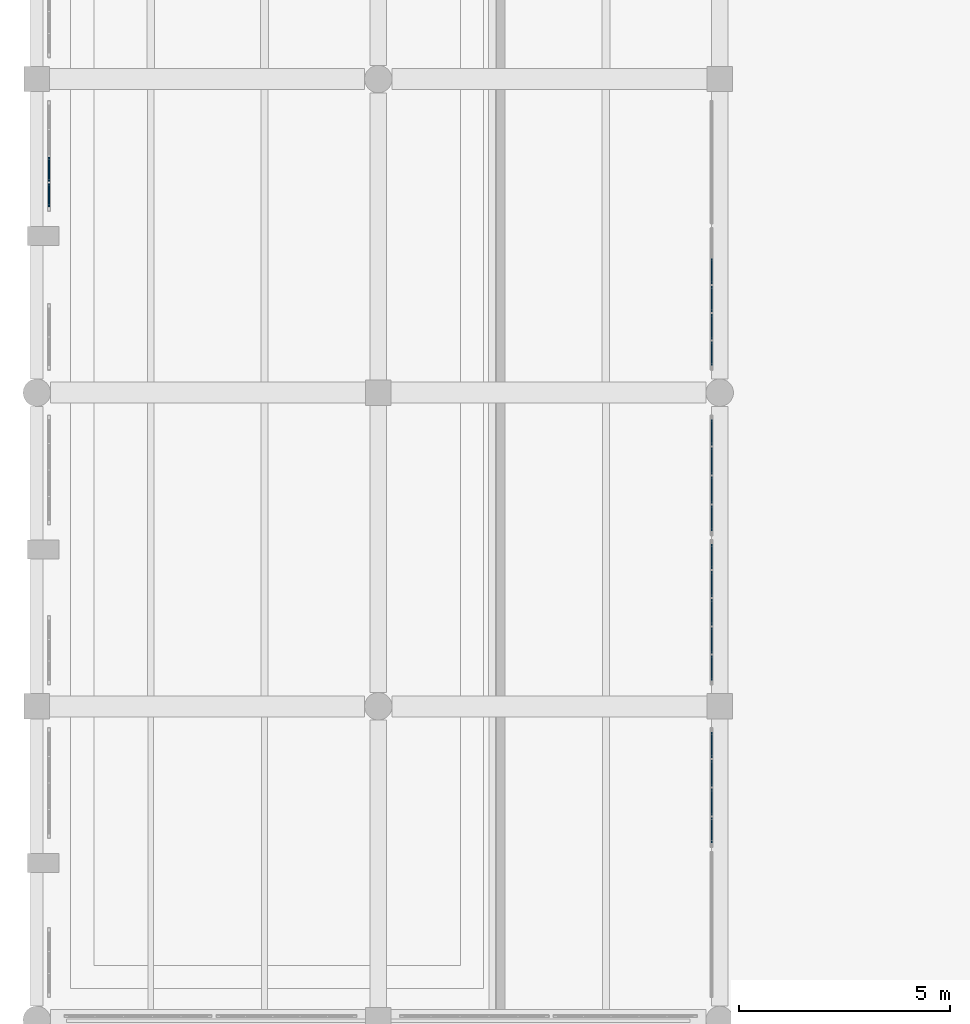
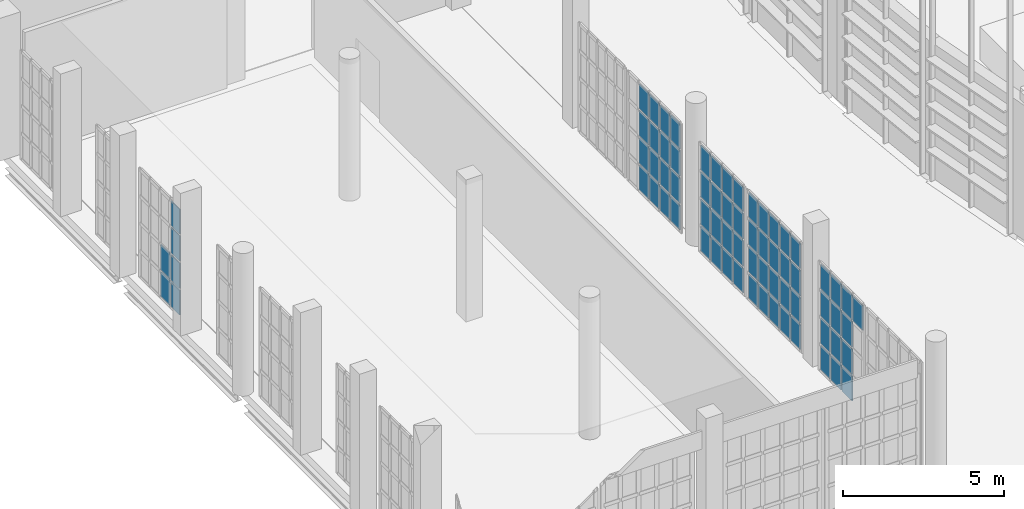
# One storey, part 323 of 372: 71 plates, 5 elements without a shape of their own.
"""IFC4 building model written with IfcOpenShell, lengths in metres."""

from ifc_helpers import new_model, si_unit, direction, frame, origin, origin_2d, place, context, subcontext, project, spatial, rectangle, extrude, material, layer, layer_set, type_object, element, aggregate, save


model = new_model("IFC4")

# Units and contexts
model_context = context("Model", 3, precision=1e-05, world=origin(), true_north=direction((0.0, 1.0)))
body_context = subcontext(model_context, "Body", "Model", "MODEL_VIEW")
ifc_project = project(units=[si_unit("LENGTHUNIT", "METRE"), si_unit("AREAUNIT", "SQUARE_METRE"), si_unit("VOLUMEUNIT", "CUBIC_METRE"), si_unit("PLANEANGLEUNIT", "RADIAN"), si_unit("MASSUNIT", "GRAM", prefix="KILO")], contexts=[model_context])

# Site, building, storey
site_placement = place(None, origin())
site = spatial("IfcSite", under=ifc_project, at=site_placement, CompositionType="ELEMENT")
building_placement = place(site_placement, origin())
building = spatial("IfcBuilding", under=site, at=building_placement, Name="Kaelora Sail Theatre", CompositionType="ELEMENT")
storey_placement = place(building_placement, origin())
storey = spatial("IfcBuildingStorey", under=building, at=storey_placement, Name="L00", CompositionType="ELEMENT", Elevation=0.0)

# Curtain wall, plates
ifc_material_1 = material(Name="Anodised aluminium and solar-control low-E IGU", Category="aluminium")
curtain_wall_type_1 = type_object("IfcCurtainWallType", Name="ARC-CW-CW-FOY1", PredefinedType="NOTDEFINED", material=ifc_material_1)
curtain_wall_1_placement = place(storey_placement, origin())
curtain_wall_1 = element("IfcCurtainWall", 1, at=curtain_wall_1_placement, inside=storey, type_object=curtain_wall_type_1, Name="Glazed Colonnade/Courtyard Curtain Wall COLW-W-L00-09", PredefinedType="NOTDEFINED")
ifc_material_2 = material(Name="Solar-control laminated low-E glass", Category="glass")
ifc_layer = layer(ifc_material_2, 0.031982421875)
ifc_layer_set = layer_set([ifc_layer], Name="Solar-control laminated low-E glass")
plate_type = type_object("IfcPlateType", Name="ARC-CW-PNL", PredefinedType="CURTAIN_PANEL", material=ifc_layer_set)
plate_1_placement = place(storey_placement, frame((1.7900390625, 50.82568359375, 0.070068359375), z_axis=(0.0, 0.0, 1.0), x_axis=(0.0, 1.0, 0.0)))
plate_1 = element("IfcPlate", 2, at=plate_1_placement, type_object=plate_type, Name="CW-FOY1 panel 1.1", PredefinedType="CURTAIN_PANEL", context=body_context, shape_type="SweptSolid", body=[
    extrude(rectangle(XDim=0.541259765625, YDim=0.031982421875, at=origin_2d()), origin(), (0.0, 0.0, 1.0), 0.92919921875),
])
plate_2_placement = place(storey_placement, frame((1.7900390625, 50.82568359375, 1.069091796875), z_axis=(0.0, 0.0, 1.0), x_axis=(0.0, 1.0, 0.0)))
plate_2 = element("IfcPlate", 3, at=plate_2_placement, type_object=plate_type, Name="CW-FOY1 panel 1.2", PredefinedType="CURTAIN_PANEL", context=body_context, shape_type="SweptSolid", body=[
    extrude(rectangle(XDim=0.541259765625, YDim=0.031982421875, at=origin_2d()), origin(), (0.0, 0.0, 1.0), 0.96435546875),
])
plate_3_placement = place(storey_placement, frame((1.7900390625, 50.82568359375, 2.103515625), z_axis=(0.0, 0.0, 1.0), x_axis=(0.0, 1.0, 0.0)))
plate_3 = element("IfcPlate", 4, at=plate_3_placement, type_object=plate_type, Name="CW-FOY1 panel 1.3", PredefinedType="CURTAIN_PANEL", context=body_context, shape_type="SweptSolid", body=[
    extrude(rectangle(XDim=0.541259765625, YDim=0.031982421875, at=origin_2d()), origin(), (0.0, 0.0, 1.0), 0.964111328125),
])
plate_4_placement = place(storey_placement, frame((1.7900390625, 50.82568359375, 3.1376953125), z_axis=(0.0, 0.0, 1.0), x_axis=(0.0, 1.0, 0.0)))
plate_4 = element("IfcPlate", 5, at=plate_4_placement, type_object=plate_type, Name="CW-FOY1 panel 1.4", PredefinedType="CURTAIN_PANEL", context=body_context, shape_type="SweptSolid", body=[
    extrude(rectangle(XDim=0.541259765625, YDim=0.031982421875, at=origin_2d()), origin(), (0.0, 0.0, 1.0), 0.92919921875),
])
plate_5_placement = place(storey_placement, frame((1.7900390625, 51.44189453125, 0.070068359375), z_axis=(0.0, 0.0, 1.0), x_axis=(0.0, 1.0, 0.0)))
plate_5 = element("IfcPlate", 6, at=plate_5_placement, type_object=plate_type, Name="CW-FOY1 panel 2.1", PredefinedType="CURTAIN_PANEL", context=body_context, shape_type="SweptSolid", body=[
    extrude(rectangle(XDim=0.5712890625, YDim=0.031982421875, at=origin_2d()), origin(), (0.0, 0.0, 1.0), 0.92919921875),
])
plate_6_placement = place(storey_placement, frame((1.7900390625, 51.44189453125, 1.069091796875), z_axis=(0.0, 0.0, 1.0), x_axis=(0.0, 1.0, 0.0)))
plate_6 = element("IfcPlate", 7, at=plate_6_placement, type_object=plate_type, Name="CW-FOY1 panel 2.2", PredefinedType="CURTAIN_PANEL", context=body_context, shape_type="SweptSolid", body=[
    extrude(rectangle(XDim=0.5712890625, YDim=0.031982421875, at=origin_2d()), origin(), (0.0, 0.0, 1.0), 0.96435546875),
])
aggregate(curtain_wall_1, [plate_1, plate_2, plate_3, plate_4, plate_5, plate_6])

ifc_material_3 = material(Name="Anodised aluminium and solar-control low-E IGU", Category="aluminium")
curtain_wall_type_2 = type_object("IfcCurtainWallType", Name="ARC-CW-CW-FOY2", PredefinedType="NOTDEFINED", material=ifc_material_3)
curtain_wall_2_placement = place(storey_placement, origin())
curtain_wall_2 = element("IfcCurtainWall", 8, at=curtain_wall_2_placement, inside=storey, type_object=curtain_wall_type_2, Name="Glazed Colonnade/Courtyard Curtain Wall COLW-E-L00-02", PredefinedType="NOTDEFINED")
plate_7_placement = place(storey_placement, frame((17.510009765625, 35.757568359375, 3.1376953125), z_axis=(0.0, 0.0, 1.0), x_axis=(0.0, 1.0, 0.0)))
plate_7 = element("IfcPlate", 9, at=plate_7_placement, type_object=plate_type, Name="CW-FOY2 panel 1.4", PredefinedType="CURTAIN_PANEL", context=body_context, shape_type="SweptSolid", body=[
    extrude(rectangle(XDim=0.594970703125, YDim=0.031982421875, at=origin_2d()), origin(), (0.0, 0.0, 1.0), 0.92919921875),
])
plate_8_placement = place(storey_placement, frame((17.510009765625, 36.427490234375, 0.070068359375), z_axis=(0.0, 0.0, 1.0), x_axis=(0.0, 1.0, 0.0)))
plate_8 = element("IfcPlate", 10, at=plate_8_placement, type_object=plate_type, Name="CW-FOY2 panel 2.1", PredefinedType="CURTAIN_PANEL", context=body_context, shape_type="SweptSolid", body=[
    extrude(rectangle(XDim=0.625, YDim=0.031982421875, at=origin_2d()), origin(), (0.0, 0.0, 1.0), 0.92919921875),
])
plate_9_placement = place(storey_placement, frame((17.510009765625, 36.427490234375, 1.069091796875), z_axis=(0.0, 0.0, 1.0), x_axis=(0.0, 1.0, 0.0)))
plate_9 = element("IfcPlate", 11, at=plate_9_placement, type_object=plate_type, Name="CW-FOY2 panel 2.2", PredefinedType="CURTAIN_PANEL", context=body_context, shape_type="SweptSolid", body=[
    extrude(rectangle(XDim=0.625, YDim=0.031982421875, at=origin_2d()), origin(), (0.0, 0.0, 1.0), 0.96435546875),
])
plate_10_placement = place(storey_placement, frame((17.510009765625, 36.427490234375, 2.103515625), z_axis=(0.0, 0.0, 1.0), x_axis=(0.0, 1.0, 0.0)))
plate_10 = element("IfcPlate", 12, at=plate_10_placement, type_object=plate_type, Name="CW-FOY2 panel 2.3", PredefinedType="CURTAIN_PANEL", context=body_context, shape_type="SweptSolid", body=[
    extrude(rectangle(XDim=0.625, YDim=0.031982421875, at=origin_2d()), origin(), (0.0, 0.0, 1.0), 0.964111328125),
])
plate_11_placement = place(storey_placement, frame((17.510009765625, 36.427490234375, 3.1376953125), z_axis=(0.0, 0.0, 1.0), x_axis=(0.0, 1.0, 0.0)))
plate_11 = element("IfcPlate", 13, at=plate_11_placement, type_object=plate_type, Name="CW-FOY2 panel 2.4", PredefinedType="CURTAIN_PANEL", context=body_context, shape_type="SweptSolid", body=[
    extrude(rectangle(XDim=0.625, YDim=0.031982421875, at=origin_2d()), origin(), (0.0, 0.0, 1.0), 0.92919921875),
])
plate_12_placement = place(storey_placement, frame((17.510009765625, 37.112548828125, 0.070068359375), z_axis=(0.0, 0.0, 1.0), x_axis=(0.0, 1.0, 0.0)))
plate_12 = element("IfcPlate", 14, at=plate_12_placement, type_object=plate_type, Name="CW-FOY2 panel 3.1", PredefinedType="CURTAIN_PANEL", context=body_context, shape_type="SweptSolid", body=[
    extrude(rectangle(XDim=0.625, YDim=0.031982421875, at=origin_2d()), origin(), (0.0, 0.0, 1.0), 0.92919921875),
])
plate_13_placement = place(storey_placement, frame((17.510009765625, 37.112548828125, 1.069091796875), z_axis=(0.0, 0.0, 1.0), x_axis=(0.0, 1.0, 0.0)))
plate_13 = element("IfcPlate", 15, at=plate_13_placement, type_object=plate_type, Name="CW-FOY2 panel 3.2", PredefinedType="CURTAIN_PANEL", context=body_context, shape_type="SweptSolid", body=[
    extrude(rectangle(XDim=0.625, YDim=0.031982421875, at=origin_2d()), origin(), (0.0, 0.0, 1.0), 0.96435546875),
])
plate_14_placement = place(storey_placement, frame((17.510009765625, 37.112548828125, 2.103515625), z_axis=(0.0, 0.0, 1.0), x_axis=(0.0, 1.0, 0.0)))
plate_14 = element("IfcPlate", 16, at=plate_14_placement, type_object=plate_type, Name="CW-FOY2 panel 3.3", PredefinedType="CURTAIN_PANEL", context=body_context, shape_type="SweptSolid", body=[
    extrude(rectangle(XDim=0.625, YDim=0.031982421875, at=origin_2d()), origin(), (0.0, 0.0, 1.0), 0.964111328125),
])
plate_15_placement = place(storey_placement, frame((17.510009765625, 37.112548828125, 3.1376953125), z_axis=(0.0, 0.0, 1.0), x_axis=(0.0, 1.0, 0.0)))
plate_15 = element("IfcPlate", 17, at=plate_15_placement, type_object=plate_type, Name="CW-FOY2 panel 3.4", PredefinedType="CURTAIN_PANEL", context=body_context, shape_type="SweptSolid", body=[
    extrude(rectangle(XDim=0.625, YDim=0.031982421875, at=origin_2d()), origin(), (0.0, 0.0, 1.0), 0.92919921875),
])
plate_16_placement = place(storey_placement, frame((17.510009765625, 37.782470703125, 0.070068359375), z_axis=(0.0, 0.0, 1.0), x_axis=(0.0, 1.0, 0.0)))
plate_16 = element("IfcPlate", 18, at=plate_16_placement, type_object=plate_type, Name="CW-FOY2 panel 4.1", PredefinedType="CURTAIN_PANEL", context=body_context, shape_type="SweptSolid", body=[
    extrude(rectangle(XDim=0.594970703125, YDim=0.031982421875, at=origin_2d()), origin(), (0.0, 0.0, 1.0), 0.92919921875),
])
plate_17_placement = place(storey_placement, frame((17.510009765625, 37.782470703125, 1.069091796875), z_axis=(0.0, 0.0, 1.0), x_axis=(0.0, 1.0, 0.0)))
plate_17 = element("IfcPlate", 19, at=plate_17_placement, type_object=plate_type, Name="CW-FOY2 panel 4.2", PredefinedType="CURTAIN_PANEL", context=body_context, shape_type="SweptSolid", body=[
    extrude(rectangle(XDim=0.594970703125, YDim=0.031982421875, at=origin_2d()), origin(), (0.0, 0.0, 1.0), 0.96435546875),
])
plate_18_placement = place(storey_placement, frame((17.510009765625, 37.782470703125, 2.103515625), z_axis=(0.0, 0.0, 1.0), x_axis=(0.0, 1.0, 0.0)))
plate_18 = element("IfcPlate", 20, at=plate_18_placement, type_object=plate_type, Name="CW-FOY2 panel 4.3", PredefinedType="CURTAIN_PANEL", context=body_context, shape_type="SweptSolid", body=[
    extrude(rectangle(XDim=0.594970703125, YDim=0.031982421875, at=origin_2d()), origin(), (0.0, 0.0, 1.0), 0.964111328125),
])
plate_19_placement = place(storey_placement, frame((17.510009765625, 37.782470703125, 3.1376953125), z_axis=(0.0, 0.0, 1.0), x_axis=(0.0, 1.0, 0.0)))
plate_19 = element("IfcPlate", 21, at=plate_19_placement, type_object=plate_type, Name="CW-FOY2 panel 4.4", PredefinedType="CURTAIN_PANEL", context=body_context, shape_type="SweptSolid", body=[
    extrude(rectangle(XDim=0.594970703125, YDim=0.031982421875, at=origin_2d()), origin(), (0.0, 0.0, 1.0), 0.92919921875),
])
aggregate(curtain_wall_2, [plate_7, plate_8, plate_9, plate_10, plate_11, plate_12, plate_13, plate_14, plate_15, plate_16, plate_17, plate_18, plate_19])

curtain_wall_3_placement = place(storey_placement, origin())
curtain_wall_3 = element("IfcCurtainWall", 22, at=curtain_wall_3_placement, inside=storey, type_object=curtain_wall_type_2, Name="Glazed Colonnade/Courtyard Curtain Wall COLW-E-L00-03", PredefinedType="NOTDEFINED")
plate_20_placement = place(storey_placement, frame((17.510009765625, 39.60888671875, 0.070068359375), z_axis=(0.0, 0.0, 1.0), x_axis=(0.0, 1.0, 0.0)))
plate_20 = element("IfcPlate", 23, at=plate_20_placement, type_object=plate_type, Name="CW-FOY2 panel 1.1", PredefinedType="CURTAIN_PANEL", context=body_context, shape_type="SweptSolid", body=[
    extrude(rectangle(XDim=0.577880859375, YDim=0.031982421875, at=origin_2d()), origin(), (0.0, 0.0, 1.0), 0.92919921875),
])
plate_21_placement = place(storey_placement, frame((17.510009765625, 39.60888671875, 1.069091796875), z_axis=(0.0, 0.0, 1.0), x_axis=(0.0, 1.0, 0.0)))
plate_21 = element("IfcPlate", 24, at=plate_21_placement, type_object=plate_type, Name="CW-FOY2 panel 1.2", PredefinedType="CURTAIN_PANEL", context=body_context, shape_type="SweptSolid", body=[
    extrude(rectangle(XDim=0.577880859375, YDim=0.031982421875, at=origin_2d()), origin(), (0.0, 0.0, 1.0), 0.96435546875),
])
plate_22_placement = place(storey_placement, frame((17.510009765625, 39.60888671875, 2.103515625), z_axis=(0.0, 0.0, 1.0), x_axis=(0.0, 1.0, 0.0)))
plate_22 = element("IfcPlate", 25, at=plate_22_placement, type_object=plate_type, Name="CW-FOY2 panel 1.3", PredefinedType="CURTAIN_PANEL", context=body_context, shape_type="SweptSolid", body=[
    extrude(rectangle(XDim=0.577880859375, YDim=0.031982421875, at=origin_2d()), origin(), (0.0, 0.0, 1.0), 0.964111328125),
])
plate_23_placement = place(storey_placement, frame((17.510009765625, 39.60888671875, 3.1376953125), z_axis=(0.0, 0.0, 1.0), x_axis=(0.0, 1.0, 0.0)))
plate_23 = element("IfcPlate", 26, at=plate_23_placement, type_object=plate_type, Name="CW-FOY2 panel 1.4", PredefinedType="CURTAIN_PANEL", context=body_context, shape_type="SweptSolid", body=[
    extrude(rectangle(XDim=0.577880859375, YDim=0.031982421875, at=origin_2d()), origin(), (0.0, 0.0, 1.0), 0.92919921875),
])
plate_24_placement = place(storey_placement, frame((17.510009765625, 40.261962890625, 0.070068359375), z_axis=(0.0, 0.0, 1.0), x_axis=(0.0, 1.0, 0.0)))
plate_24 = element("IfcPlate", 27, at=plate_24_placement, type_object=plate_type, Name="CW-FOY2 panel 2.1", PredefinedType="CURTAIN_PANEL", context=body_context, shape_type="SweptSolid", body=[
    extrude(rectangle(XDim=0.60791015625, YDim=0.031982421875, at=origin_2d()), origin(), (0.0, 0.0, 1.0), 0.92919921875),
])
plate_25_placement = place(storey_placement, frame((17.510009765625, 40.261962890625, 1.069091796875), z_axis=(0.0, 0.0, 1.0), x_axis=(0.0, 1.0, 0.0)))
plate_25 = element("IfcPlate", 28, at=plate_25_placement, type_object=plate_type, Name="CW-FOY2 panel 2.2", PredefinedType="CURTAIN_PANEL", context=body_context, shape_type="SweptSolid", body=[
    extrude(rectangle(XDim=0.60791015625, YDim=0.031982421875, at=origin_2d()), origin(), (0.0, 0.0, 1.0), 0.96435546875),
])
plate_26_placement = place(storey_placement, frame((17.510009765625, 40.261962890625, 2.103515625), z_axis=(0.0, 0.0, 1.0), x_axis=(0.0, 1.0, 0.0)))
plate_26 = element("IfcPlate", 29, at=plate_26_placement, type_object=plate_type, Name="CW-FOY2 panel 2.3", PredefinedType="CURTAIN_PANEL", context=body_context, shape_type="SweptSolid", body=[
    extrude(rectangle(XDim=0.60791015625, YDim=0.031982421875, at=origin_2d()), origin(), (0.0, 0.0, 1.0), 0.964111328125),
])
plate_27_placement = place(storey_placement, frame((17.510009765625, 40.261962890625, 3.1376953125), z_axis=(0.0, 0.0, 1.0), x_axis=(0.0, 1.0, 0.0)))
plate_27 = element("IfcPlate", 30, at=plate_27_placement, type_object=plate_type, Name="CW-FOY2 panel 2.4", PredefinedType="CURTAIN_PANEL", context=body_context, shape_type="SweptSolid", body=[
    extrude(rectangle(XDim=0.60791015625, YDim=0.031982421875, at=origin_2d()), origin(), (0.0, 0.0, 1.0), 0.92919921875),
])
plate_28_placement = place(storey_placement, frame((17.510009765625, 40.929931640625, 0.070068359375), z_axis=(0.0, 0.0, 1.0), x_axis=(0.0, 1.0, 0.0)))
plate_28 = element("IfcPlate", 31, at=plate_28_placement, type_object=plate_type, Name="CW-FOY2 panel 3.1", PredefinedType="CURTAIN_PANEL", context=body_context, shape_type="SweptSolid", body=[
    extrude(rectangle(XDim=0.60791015625, YDim=0.031982421875, at=origin_2d()), origin(), (0.0, 0.0, 1.0), 0.92919921875),
])
plate_29_placement = place(storey_placement, frame((17.510009765625, 40.929931640625, 1.069091796875), z_axis=(0.0, 0.0, 1.0), x_axis=(0.0, 1.0, 0.0)))
plate_29 = element("IfcPlate", 32, at=plate_29_placement, type_object=plate_type, Name="CW-FOY2 panel 3.2", PredefinedType="CURTAIN_PANEL", context=body_context, shape_type="SweptSolid", body=[
    extrude(rectangle(XDim=0.60791015625, YDim=0.031982421875, at=origin_2d()), origin(), (0.0, 0.0, 1.0), 0.96435546875),
])
plate_30_placement = place(storey_placement, frame((17.510009765625, 40.929931640625, 2.103515625), z_axis=(0.0, 0.0, 1.0), x_axis=(0.0, 1.0, 0.0)))
plate_30 = element("IfcPlate", 33, at=plate_30_placement, type_object=plate_type, Name="CW-FOY2 panel 3.3", PredefinedType="CURTAIN_PANEL", context=body_context, shape_type="SweptSolid", body=[
    extrude(rectangle(XDim=0.60791015625, YDim=0.031982421875, at=origin_2d()), origin(), (0.0, 0.0, 1.0), 0.964111328125),
])
plate_31_placement = place(storey_placement, frame((17.510009765625, 40.929931640625, 3.1376953125), z_axis=(0.0, 0.0, 1.0), x_axis=(0.0, 1.0, 0.0)))
plate_31 = element("IfcPlate", 34, at=plate_31_placement, type_object=plate_type, Name="CW-FOY2 panel 3.4", PredefinedType="CURTAIN_PANEL", context=body_context, shape_type="SweptSolid", body=[
    extrude(rectangle(XDim=0.60791015625, YDim=0.031982421875, at=origin_2d()), origin(), (0.0, 0.0, 1.0), 0.92919921875),
])
plate_32_placement = place(storey_placement, frame((17.510009765625, 41.597900390625, 0.070068359375), z_axis=(0.0, 0.0, 1.0), x_axis=(0.0, 1.0, 0.0)))
plate_32 = element("IfcPlate", 35, at=plate_32_placement, type_object=plate_type, Name="CW-FOY2 panel 4.1", PredefinedType="CURTAIN_PANEL", context=body_context, shape_type="SweptSolid", body=[
    extrude(rectangle(XDim=0.60791015625, YDim=0.031982421875, at=origin_2d()), origin(), (0.0, 0.0, 1.0), 0.92919921875),
])
plate_33_placement = place(storey_placement, frame((17.510009765625, 41.597900390625, 1.069091796875), z_axis=(0.0, 0.0, 1.0), x_axis=(0.0, 1.0, 0.0)))
plate_33 = element("IfcPlate", 36, at=plate_33_placement, type_object=plate_type, Name="CW-FOY2 panel 4.2", PredefinedType="CURTAIN_PANEL", context=body_context, shape_type="SweptSolid", body=[
    extrude(rectangle(XDim=0.60791015625, YDim=0.031982421875, at=origin_2d()), origin(), (0.0, 0.0, 1.0), 0.96435546875),
])
plate_34_placement = place(storey_placement, frame((17.510009765625, 41.597900390625, 2.103515625), z_axis=(0.0, 0.0, 1.0), x_axis=(0.0, 1.0, 0.0)))
plate_34 = element("IfcPlate", 37, at=plate_34_placement, type_object=plate_type, Name="CW-FOY2 panel 4.3", PredefinedType="CURTAIN_PANEL", context=body_context, shape_type="SweptSolid", body=[
    extrude(rectangle(XDim=0.60791015625, YDim=0.031982421875, at=origin_2d()), origin(), (0.0, 0.0, 1.0), 0.964111328125),
])
plate_35_placement = place(storey_placement, frame((17.510009765625, 41.597900390625, 3.1376953125), z_axis=(0.0, 0.0, 1.0), x_axis=(0.0, 1.0, 0.0)))
plate_35 = element("IfcPlate", 38, at=plate_35_placement, type_object=plate_type, Name="CW-FOY2 panel 4.4", PredefinedType="CURTAIN_PANEL", context=body_context, shape_type="SweptSolid", body=[
    extrude(rectangle(XDim=0.60791015625, YDim=0.031982421875, at=origin_2d()), origin(), (0.0, 0.0, 1.0), 0.92919921875),
])
plate_36_placement = place(storey_placement, frame((17.510009765625, 42.2509765625, 0.070068359375), z_axis=(0.0, 0.0, 1.0), x_axis=(0.0, 1.0, 0.0)))
plate_36 = element("IfcPlate", 39, at=plate_36_placement, type_object=plate_type, Name="CW-FOY2 panel 5.1", PredefinedType="CURTAIN_PANEL", context=body_context, shape_type="SweptSolid", body=[
    extrude(rectangle(XDim=0.577880859375, YDim=0.031982421875, at=origin_2d()), origin(), (0.0, 0.0, 1.0), 0.92919921875),
])
plate_37_placement = place(storey_placement, frame((17.510009765625, 42.2509765625, 1.069091796875), z_axis=(0.0, 0.0, 1.0), x_axis=(0.0, 1.0, 0.0)))
plate_37 = element("IfcPlate", 40, at=plate_37_placement, type_object=plate_type, Name="CW-FOY2 panel 5.2", PredefinedType="CURTAIN_PANEL", context=body_context, shape_type="SweptSolid", body=[
    extrude(rectangle(XDim=0.577880859375, YDim=0.031982421875, at=origin_2d()), origin(), (0.0, 0.0, 1.0), 0.96435546875),
])
plate_38_placement = place(storey_placement, frame((17.510009765625, 42.2509765625, 2.103515625), z_axis=(0.0, 0.0, 1.0), x_axis=(0.0, 1.0, 0.0)))
plate_38 = element("IfcPlate", 41, at=plate_38_placement, type_object=plate_type, Name="CW-FOY2 panel 5.3", PredefinedType="CURTAIN_PANEL", context=body_context, shape_type="SweptSolid", body=[
    extrude(rectangle(XDim=0.577880859375, YDim=0.031982421875, at=origin_2d()), origin(), (0.0, 0.0, 1.0), 0.964111328125),
])
plate_39_placement = place(storey_placement, frame((17.510009765625, 42.2509765625, 3.1376953125), z_axis=(0.0, 0.0, 1.0), x_axis=(0.0, 1.0, 0.0)))
plate_39 = element("IfcPlate", 42, at=plate_39_placement, type_object=plate_type, Name="CW-FOY2 panel 5.4", PredefinedType="CURTAIN_PANEL", context=body_context, shape_type="SweptSolid", body=[
    extrude(rectangle(XDim=0.577880859375, YDim=0.031982421875, at=origin_2d()), origin(), (0.0, 0.0, 1.0), 0.92919921875),
])
aggregate(curtain_wall_3, [plate_20, plate_21, plate_22, plate_23, plate_24, plate_25, plate_26, plate_27, plate_28, plate_29, plate_30, plate_31, plate_32, plate_33, plate_34, plate_35, plate_36, plate_37, plate_38, plate_39])

curtain_wall_4_placement = place(storey_placement, origin())
curtain_wall_4 = element("IfcCurtainWall", 43, at=curtain_wall_4_placement, inside=storey, type_object=curtain_wall_type_2, Name="Glazed Colonnade/Courtyard Curtain Wall COLW-E-L00-04", PredefinedType="NOTDEFINED")
plate_40_placement = place(storey_placement, frame((17.510009765625, 43.159423828125, 0.070068359375), z_axis=(0.0, 0.0, 1.0), x_axis=(0.0, 1.0, 0.0)))
plate_40 = element("IfcPlate", 44, at=plate_40_placement, type_object=plate_type, Name="CW-FOY2 panel 1.1", PredefinedType="CURTAIN_PANEL", context=body_context, shape_type="SweptSolid", body=[
    extrude(rectangle(XDim=0.5986328125, YDim=0.031982421875, at=origin_2d()), origin(), (0.0, 0.0, 1.0), 0.92919921875),
])
plate_41_placement = place(storey_placement, frame((17.510009765625, 43.159423828125, 1.069091796875), z_axis=(0.0, 0.0, 1.0), x_axis=(0.0, 1.0, 0.0)))
plate_41 = element("IfcPlate", 45, at=plate_41_placement, type_object=plate_type, Name="CW-FOY2 panel 1.2", PredefinedType="CURTAIN_PANEL", context=body_context, shape_type="SweptSolid", body=[
    extrude(rectangle(XDim=0.5986328125, YDim=0.031982421875, at=origin_2d()), origin(), (0.0, 0.0, 1.0), 0.96435546875),
])
plate_42_placement = place(storey_placement, frame((17.510009765625, 43.159423828125, 2.103515625), z_axis=(0.0, 0.0, 1.0), x_axis=(0.0, 1.0, 0.0)))
plate_42 = element("IfcPlate", 46, at=plate_42_placement, type_object=plate_type, Name="CW-FOY2 panel 1.3", PredefinedType="CURTAIN_PANEL", context=body_context, shape_type="SweptSolid", body=[
    extrude(rectangle(XDim=0.5986328125, YDim=0.031982421875, at=origin_2d()), origin(), (0.0, 0.0, 1.0), 0.964111328125),
])
plate_43_placement = place(storey_placement, frame((17.510009765625, 43.159423828125, 3.1376953125), z_axis=(0.0, 0.0, 1.0), x_axis=(0.0, 1.0, 0.0)))
plate_43 = element("IfcPlate", 47, at=plate_43_placement, type_object=plate_type, Name="CW-FOY2 panel 1.4", PredefinedType="CURTAIN_PANEL", context=body_context, shape_type="SweptSolid", body=[
    extrude(rectangle(XDim=0.5986328125, YDim=0.031982421875, at=origin_2d()), origin(), (0.0, 0.0, 1.0), 0.92919921875),
])
plate_44_placement = place(storey_placement, frame((17.510009765625, 43.8330078125, 0.070068359375), z_axis=(0.0, 0.0, 1.0), x_axis=(0.0, 1.0, 0.0)))
plate_44 = element("IfcPlate", 48, at=plate_44_placement, type_object=plate_type, Name="CW-FOY2 panel 2.1", PredefinedType="CURTAIN_PANEL", context=body_context, shape_type="SweptSolid", body=[
    extrude(rectangle(XDim=0.628662109375, YDim=0.031982421875, at=origin_2d()), origin(), (0.0, 0.0, 1.0), 0.92919921875),
])
plate_45_placement = place(storey_placement, frame((17.510009765625, 43.8330078125, 1.069091796875), z_axis=(0.0, 0.0, 1.0), x_axis=(0.0, 1.0, 0.0)))
plate_45 = element("IfcPlate", 49, at=plate_45_placement, type_object=plate_type, Name="CW-FOY2 panel 2.2", PredefinedType="CURTAIN_PANEL", context=body_context, shape_type="SweptSolid", body=[
    extrude(rectangle(XDim=0.628662109375, YDim=0.031982421875, at=origin_2d()), origin(), (0.0, 0.0, 1.0), 0.96435546875),
])
plate_46_placement = place(storey_placement, frame((17.510009765625, 43.8330078125, 2.103515625), z_axis=(0.0, 0.0, 1.0), x_axis=(0.0, 1.0, 0.0)))
plate_46 = element("IfcPlate", 50, at=plate_46_placement, type_object=plate_type, Name="CW-FOY2 panel 2.3", PredefinedType="CURTAIN_PANEL", context=body_context, shape_type="SweptSolid", body=[
    extrude(rectangle(XDim=0.628662109375, YDim=0.031982421875, at=origin_2d()), origin(), (0.0, 0.0, 1.0), 0.964111328125),
])
plate_47_placement = place(storey_placement, frame((17.510009765625, 43.8330078125, 3.1376953125), z_axis=(0.0, 0.0, 1.0), x_axis=(0.0, 1.0, 0.0)))
plate_47 = element("IfcPlate", 51, at=plate_47_placement, type_object=plate_type, Name="CW-FOY2 panel 2.4", PredefinedType="CURTAIN_PANEL", context=body_context, shape_type="SweptSolid", body=[
    extrude(rectangle(XDim=0.628662109375, YDim=0.031982421875, at=origin_2d()), origin(), (0.0, 0.0, 1.0), 0.92919921875),
])
plate_48_placement = place(storey_placement, frame((17.510009765625, 44.52197265625, 0.070068359375), z_axis=(0.0, 0.0, 1.0), x_axis=(0.0, 1.0, 0.0)))
plate_48 = element("IfcPlate", 52, at=plate_48_placement, type_object=plate_type, Name="CW-FOY2 panel 3.1", PredefinedType="CURTAIN_PANEL", context=body_context, shape_type="SweptSolid", body=[
    extrude(rectangle(XDim=0.628662109375, YDim=0.031982421875, at=origin_2d()), origin(), (0.0, 0.0, 1.0), 0.92919921875),
])
plate_49_placement = place(storey_placement, frame((17.510009765625, 44.52197265625, 1.069091796875), z_axis=(0.0, 0.0, 1.0), x_axis=(0.0, 1.0, 0.0)))
plate_49 = element("IfcPlate", 53, at=plate_49_placement, type_object=plate_type, Name="CW-FOY2 panel 3.2", PredefinedType="CURTAIN_PANEL", context=body_context, shape_type="SweptSolid", body=[
    extrude(rectangle(XDim=0.628662109375, YDim=0.031982421875, at=origin_2d()), origin(), (0.0, 0.0, 1.0), 0.96435546875),
])
plate_50_placement = place(storey_placement, frame((17.510009765625, 44.52197265625, 2.103515625), z_axis=(0.0, 0.0, 1.0), x_axis=(0.0, 1.0, 0.0)))
plate_50 = element("IfcPlate", 54, at=plate_50_placement, type_object=plate_type, Name="CW-FOY2 panel 3.3", PredefinedType="CURTAIN_PANEL", context=body_context, shape_type="SweptSolid", body=[
    extrude(rectangle(XDim=0.628662109375, YDim=0.031982421875, at=origin_2d()), origin(), (0.0, 0.0, 1.0), 0.964111328125),
])
plate_51_placement = place(storey_placement, frame((17.510009765625, 44.52197265625, 3.1376953125), z_axis=(0.0, 0.0, 1.0), x_axis=(0.0, 1.0, 0.0)))
plate_51 = element("IfcPlate", 55, at=plate_51_placement, type_object=plate_type, Name="CW-FOY2 panel 3.4", PredefinedType="CURTAIN_PANEL", context=body_context, shape_type="SweptSolid", body=[
    extrude(rectangle(XDim=0.628662109375, YDim=0.031982421875, at=origin_2d()), origin(), (0.0, 0.0, 1.0), 0.92919921875),
])
plate_52_placement = place(storey_placement, frame((17.510009765625, 45.195556640625, 0.070068359375), z_axis=(0.0, 0.0, 1.0), x_axis=(0.0, 1.0, 0.0)))
plate_52 = element("IfcPlate", 56, at=plate_52_placement, type_object=plate_type, Name="CW-FOY2 panel 4.1", PredefinedType="CURTAIN_PANEL", context=body_context, shape_type="SweptSolid", body=[
    extrude(rectangle(XDim=0.5986328125, YDim=0.031982421875, at=origin_2d()), origin(), (0.0, 0.0, 1.0), 0.92919921875),
])
plate_53_placement = place(storey_placement, frame((17.510009765625, 45.195556640625, 1.069091796875), z_axis=(0.0, 0.0, 1.0), x_axis=(0.0, 1.0, 0.0)))
plate_53 = element("IfcPlate", 57, at=plate_53_placement, type_object=plate_type, Name="CW-FOY2 panel 4.2", PredefinedType="CURTAIN_PANEL", context=body_context, shape_type="SweptSolid", body=[
    extrude(rectangle(XDim=0.5986328125, YDim=0.031982421875, at=origin_2d()), origin(), (0.0, 0.0, 1.0), 0.96435546875),
])
plate_54_placement = place(storey_placement, frame((17.510009765625, 45.195556640625, 2.103515625), z_axis=(0.0, 0.0, 1.0), x_axis=(0.0, 1.0, 0.0)))
plate_54 = element("IfcPlate", 58, at=plate_54_placement, type_object=plate_type, Name="CW-FOY2 panel 4.3", PredefinedType="CURTAIN_PANEL", context=body_context, shape_type="SweptSolid", body=[
    extrude(rectangle(XDim=0.5986328125, YDim=0.031982421875, at=origin_2d()), origin(), (0.0, 0.0, 1.0), 0.964111328125),
])
plate_55_placement = place(storey_placement, frame((17.510009765625, 45.195556640625, 3.1376953125), z_axis=(0.0, 0.0, 1.0), x_axis=(0.0, 1.0, 0.0)))
plate_55 = element("IfcPlate", 59, at=plate_55_placement, type_object=plate_type, Name="CW-FOY2 panel 4.4", PredefinedType="CURTAIN_PANEL", context=body_context, shape_type="SweptSolid", body=[
    extrude(rectangle(XDim=0.5986328125, YDim=0.031982421875, at=origin_2d()), origin(), (0.0, 0.0, 1.0), 0.92919921875),
])
aggregate(curtain_wall_4, [plate_40, plate_41, plate_42, plate_43, plate_44, plate_45, plate_46, plate_47, plate_48, plate_49, plate_50, plate_51, plate_52, plate_53, plate_54, plate_55])

curtain_wall_5_placement = place(storey_placement, origin())
curtain_wall_5 = element("IfcCurtainWall", 60, at=curtain_wall_5_placement, inside=storey, type_object=curtain_wall_type_2, Name="Glazed Colonnade/Courtyard Curtain Wall COLW-E-L00-05", PredefinedType="NOTDEFINED")
plate_56_placement = place(storey_placement, frame((17.510009765625, 47.0673828125, 0.070068359375), z_axis=(0.0, 0.0, 1.0), x_axis=(0.0, 1.0, 0.0)))
plate_56 = element("IfcPlate", 61, at=plate_56_placement, type_object=plate_type, Name="CW-FOY2 panel 1.1", PredefinedType="CURTAIN_PANEL", context=body_context, shape_type="SweptSolid", body=[
    extrude(rectangle(XDim=0.56494140625, YDim=0.031982421875, at=origin_2d()), origin(), (0.0, 0.0, 1.0), 0.92919921875),
])
plate_57_placement = place(storey_placement, frame((17.510009765625, 47.0673828125, 1.069091796875), z_axis=(0.0, 0.0, 1.0), x_axis=(0.0, 1.0, 0.0)))
plate_57 = element("IfcPlate", 62, at=plate_57_placement, type_object=plate_type, Name="CW-FOY2 panel 1.2", PredefinedType="CURTAIN_PANEL", context=body_context, shape_type="SweptSolid", body=[
    extrude(rectangle(XDim=0.56494140625, YDim=0.031982421875, at=origin_2d()), origin(), (0.0, 0.0, 1.0), 0.96435546875),
])
plate_58_placement = place(storey_placement, frame((17.510009765625, 47.0673828125, 2.103515625), z_axis=(0.0, 0.0, 1.0), x_axis=(0.0, 1.0, 0.0)))
plate_58 = element("IfcPlate", 63, at=plate_58_placement, type_object=plate_type, Name="CW-FOY2 panel 1.3", PredefinedType="CURTAIN_PANEL", context=body_context, shape_type="SweptSolid", body=[
    extrude(rectangle(XDim=0.56494140625, YDim=0.031982421875, at=origin_2d()), origin(), (0.0, 0.0, 1.0), 0.964111328125),
])
plate_59_placement = place(storey_placement, frame((17.510009765625, 47.0673828125, 3.1376953125), z_axis=(0.0, 0.0, 1.0), x_axis=(0.0, 1.0, 0.0)))
plate_59 = element("IfcPlate", 64, at=plate_59_placement, type_object=plate_type, Name="CW-FOY2 panel 1.4", PredefinedType="CURTAIN_PANEL", context=body_context, shape_type="SweptSolid", body=[
    extrude(rectangle(XDim=0.56494140625, YDim=0.031982421875, at=origin_2d()), origin(), (0.0, 0.0, 1.0), 0.92919921875),
])
plate_60_placement = place(storey_placement, frame((17.510009765625, 47.70751953125, 0.070068359375), z_axis=(0.0, 0.0, 1.0), x_axis=(0.0, 1.0, 0.0)))
plate_60 = element("IfcPlate", 65, at=plate_60_placement, type_object=plate_type, Name="CW-FOY2 panel 2.1", PredefinedType="CURTAIN_PANEL", context=body_context, shape_type="SweptSolid", body=[
    extrude(rectangle(XDim=0.594970703125, YDim=0.031982421875, at=origin_2d()), origin(), (0.0, 0.0, 1.0), 0.92919921875),
])
plate_61_placement = place(storey_placement, frame((17.510009765625, 47.70751953125, 1.069091796875), z_axis=(0.0, 0.0, 1.0), x_axis=(0.0, 1.0, 0.0)))
plate_61 = element("IfcPlate", 66, at=plate_61_placement, type_object=plate_type, Name="CW-FOY2 panel 2.2", PredefinedType="CURTAIN_PANEL", context=body_context, shape_type="SweptSolid", body=[
    extrude(rectangle(XDim=0.594970703125, YDim=0.031982421875, at=origin_2d()), origin(), (0.0, 0.0, 1.0), 0.96435546875),
])
plate_62_placement = place(storey_placement, frame((17.510009765625, 47.70751953125, 2.103515625), z_axis=(0.0, 0.0, 1.0), x_axis=(0.0, 1.0, 0.0)))
plate_62 = element("IfcPlate", 67, at=plate_62_placement, type_object=plate_type, Name="CW-FOY2 panel 2.3", PredefinedType="CURTAIN_PANEL", context=body_context, shape_type="SweptSolid", body=[
    extrude(rectangle(XDim=0.594970703125, YDim=0.031982421875, at=origin_2d()), origin(), (0.0, 0.0, 1.0), 0.964111328125),
])
plate_63_placement = place(storey_placement, frame((17.510009765625, 47.70751953125, 3.1376953125), z_axis=(0.0, 0.0, 1.0), x_axis=(0.0, 1.0, 0.0)))
plate_63 = element("IfcPlate", 68, at=plate_63_placement, type_object=plate_type, Name="CW-FOY2 panel 2.4", PredefinedType="CURTAIN_PANEL", context=body_context, shape_type="SweptSolid", body=[
    extrude(rectangle(XDim=0.594970703125, YDim=0.031982421875, at=origin_2d()), origin(), (0.0, 0.0, 1.0), 0.92919921875),
])
plate_64_placement = place(storey_placement, frame((17.510009765625, 48.362548828125, 0.070068359375), z_axis=(0.0, 0.0, 1.0), x_axis=(0.0, 1.0, 0.0)))
plate_64 = element("IfcPlate", 69, at=plate_64_placement, type_object=plate_type, Name="CW-FOY2 panel 3.1", PredefinedType="CURTAIN_PANEL", context=body_context, shape_type="SweptSolid", body=[
    extrude(rectangle(XDim=0.594970703125, YDim=0.031982421875, at=origin_2d()), origin(), (0.0, 0.0, 1.0), 0.92919921875),
])
plate_65_placement = place(storey_placement, frame((17.510009765625, 48.362548828125, 1.069091796875), z_axis=(0.0, 0.0, 1.0), x_axis=(0.0, 1.0, 0.0)))
plate_65 = element("IfcPlate", 70, at=plate_65_placement, type_object=plate_type, Name="CW-FOY2 panel 3.2", PredefinedType="CURTAIN_PANEL", context=body_context, shape_type="SweptSolid", body=[
    extrude(rectangle(XDim=0.594970703125, YDim=0.031982421875, at=origin_2d()), origin(), (0.0, 0.0, 1.0), 0.96435546875),
])
plate_66_placement = place(storey_placement, frame((17.510009765625, 48.362548828125, 2.103515625), z_axis=(0.0, 0.0, 1.0), x_axis=(0.0, 1.0, 0.0)))
plate_66 = element("IfcPlate", 71, at=plate_66_placement, type_object=plate_type, Name="CW-FOY2 panel 3.3", PredefinedType="CURTAIN_PANEL", context=body_context, shape_type="SweptSolid", body=[
    extrude(rectangle(XDim=0.594970703125, YDim=0.031982421875, at=origin_2d()), origin(), (0.0, 0.0, 1.0), 0.964111328125),
])
plate_67_placement = place(storey_placement, frame((17.510009765625, 48.362548828125, 3.1376953125), z_axis=(0.0, 0.0, 1.0), x_axis=(0.0, 1.0, 0.0)))
plate_67 = element("IfcPlate", 72, at=plate_67_placement, type_object=plate_type, Name="CW-FOY2 panel 3.4", PredefinedType="CURTAIN_PANEL", context=body_context, shape_type="SweptSolid", body=[
    extrude(rectangle(XDim=0.594970703125, YDim=0.031982421875, at=origin_2d()), origin(), (0.0, 0.0, 1.0), 0.92919921875),
])
plate_68_placement = place(storey_placement, frame((17.510009765625, 49.017578125, 0.070068359375), z_axis=(0.0, 0.0, 1.0), x_axis=(0.0, 1.0, 0.0)))
plate_68 = element("IfcPlate", 73, at=plate_68_placement, type_object=plate_type, Name="CW-FOY2 panel 4.1", PredefinedType="CURTAIN_PANEL", context=body_context, shape_type="SweptSolid", body=[
    extrude(rectangle(XDim=0.594970703125, YDim=0.031982421875, at=origin_2d()), origin(), (0.0, 0.0, 1.0), 0.92919921875),
])
plate_69_placement = place(storey_placement, frame((17.510009765625, 49.017578125, 1.069091796875), z_axis=(0.0, 0.0, 1.0), x_axis=(0.0, 1.0, 0.0)))
plate_69 = element("IfcPlate", 74, at=plate_69_placement, type_object=plate_type, Name="CW-FOY2 panel 4.2", PredefinedType="CURTAIN_PANEL", context=body_context, shape_type="SweptSolid", body=[
    extrude(rectangle(XDim=0.594970703125, YDim=0.031982421875, at=origin_2d()), origin(), (0.0, 0.0, 1.0), 0.96435546875),
])
plate_70_placement = place(storey_placement, frame((17.510009765625, 49.017578125, 2.103515625), z_axis=(0.0, 0.0, 1.0), x_axis=(0.0, 1.0, 0.0)))
plate_70 = element("IfcPlate", 75, at=plate_70_placement, type_object=plate_type, Name="CW-FOY2 panel 4.3", PredefinedType="CURTAIN_PANEL", context=body_context, shape_type="SweptSolid", body=[
    extrude(rectangle(XDim=0.594970703125, YDim=0.031982421875, at=origin_2d()), origin(), (0.0, 0.0, 1.0), 0.964111328125),
])
plate_71_placement = place(storey_placement, frame((17.510009765625, 49.017578125, 3.1376953125), z_axis=(0.0, 0.0, 1.0), x_axis=(0.0, 1.0, 0.0)))
plate_71 = element("IfcPlate", 76, at=plate_71_placement, type_object=plate_type, Name="CW-FOY2 panel 4.4", PredefinedType="CURTAIN_PANEL", context=body_context, shape_type="SweptSolid", body=[
    extrude(rectangle(XDim=0.594970703125, YDim=0.031982421875, at=origin_2d()), origin(), (0.0, 0.0, 1.0), 0.92919921875),
])
aggregate(curtain_wall_5, [plate_56, plate_57, plate_58, plate_59, plate_60, plate_61, plate_62, plate_63, plate_64, plate_65, plate_66, plate_67, plate_68, plate_69, plate_70, plate_71])

save(model, "model.ifc")
